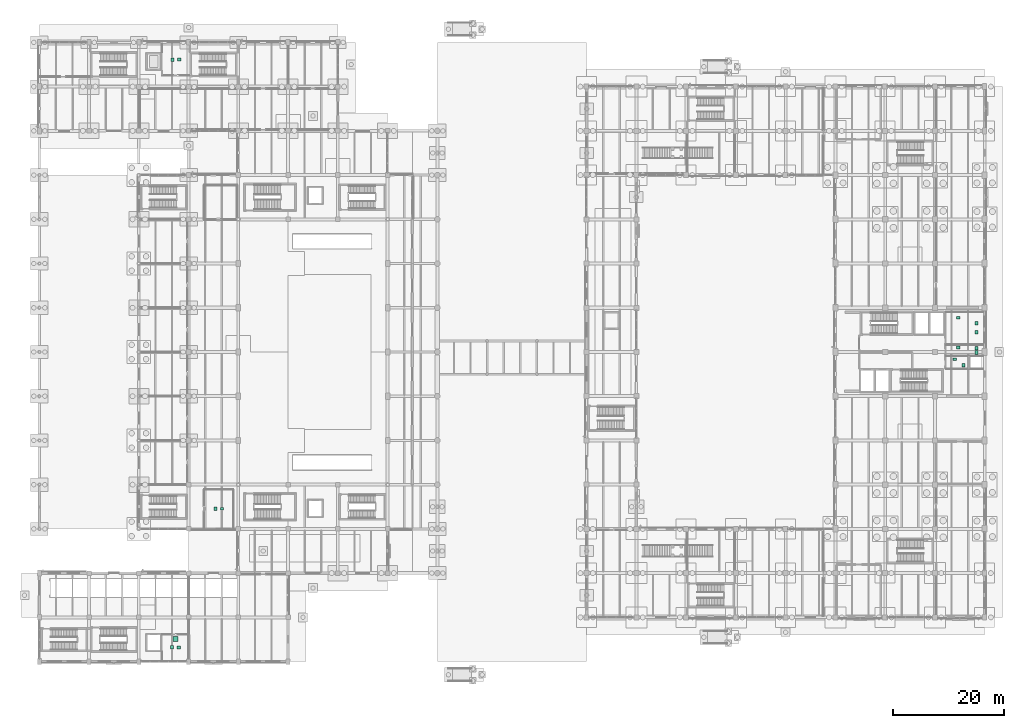
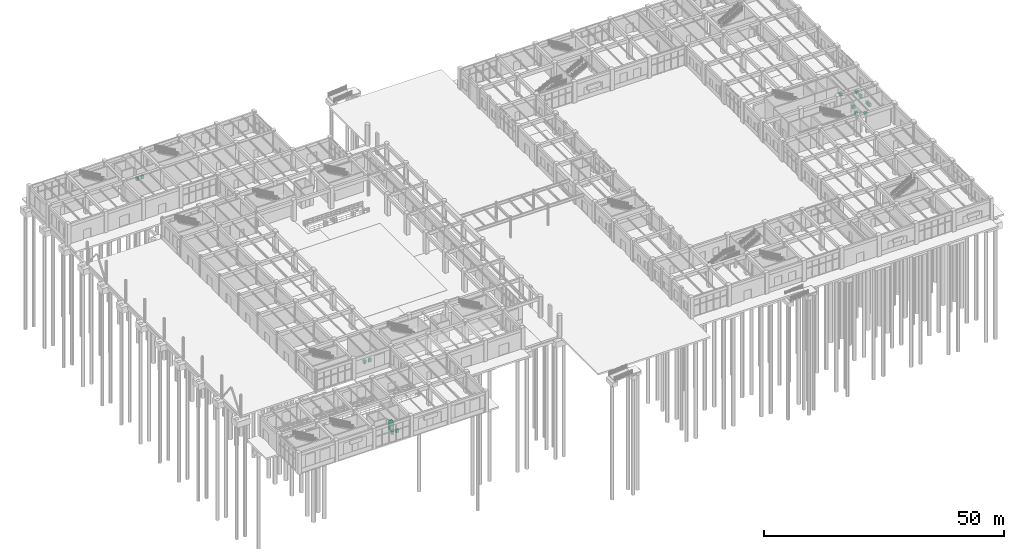
# One storey, part 120 of 121: 15 sanitary terminals.
"""IFC4 building model written with IfcOpenShell, lengths in metres."""

from ifc_helpers import new_model, si_unit, derived_unit, direction, frame, origin, origin_2d, place, context, subcontext, project, spatial, rectangle, extrude, material, type_object, element, save


model = new_model("IFC4")

# Units and contexts
model_context = context("Model", 3, precision=1e-05, world=origin(), true_north=direction((0.0, 1.0)))
body_context = subcontext(model_context, "Body", "Model", "MODEL_VIEW")
ifc_project = project(units=[si_unit("LENGTHUNIT", "METRE"), si_unit("AREAUNIT", "SQUARE_METRE"), si_unit("VOLUMEUNIT", "CUBIC_METRE"), si_unit("PLANEANGLEUNIT", "RADIAN"), si_unit("MASSUNIT", "GRAM", prefix="KILO"), derived_unit("THERMALTRANSMITTANCEUNIT", [(si_unit("MASSUNIT", "GRAM", prefix="KILO"), 1), (si_unit("TIMEUNIT", "SECOND"), -3), (si_unit("THERMODYNAMICTEMPERATUREUNIT", "KELVIN"), -1)])], contexts=[model_context])

# Site, building, storey
site_placement = place(None, origin())
site = spatial("IfcSite", under=ifc_project, at=site_placement, CompositionType="ELEMENT")
building_placement = place(site_placement, origin())
building = spatial("IfcBuilding", under=site, at=building_placement, Name="Zhenchuan Archway Interchange", CompositionType="ELEMENT")
storey_placement = place(building_placement, origin())
storey = spatial("IfcBuildingStorey", under=building, at=storey_placement, Name="L00", CompositionType="ELEMENT", Elevation=0.0)

# Sanitary terminals
ifc_material = material(Name="Vitreous China", Category="ceramic")
sanitary_terminal_type_1 = type_object("IfcSanitaryTerminalType", Name="SAN_SHOWER", PredefinedType="SHOWER", material=ifc_material)
sanitary_terminal_placement = place(storey_placement, frame((24.60009765625, 4.110107421875, 0.0), z_axis=(0.0, 0.0, 1.0), x_axis=(1.0, 0.0, 0.0)))
element("IfcSanitaryTerminal", 1, at=sanitary_terminal_placement, inside=storey, type_object=sanitary_terminal_type_1, Name="Riders Shower and Changing Room shower", PredefinedType="SHOWER", context=body_context, shape_type="SweptSolid", body=[
    extrude(rectangle(XDim=0.89990234375, YDim=0.89990234375, at=origin_2d()), origin(), (0.0, 0.0, 1.0), 2.050048828125),
])
sanitary_terminal_type_2 = type_object("IfcSanitaryTerminalType", Name="SAN_WASHHANDBASIN", PredefinedType="WASHHANDBASIN", material=ifc_material)
for number, where, z_axis, x_axis, name in (
    (2, (165.60009765625, 54.699951171875, 0.0), (0.0, 0.0, 1.0), (1.0, 0.0, 0.0), "Sanitary fixture 02 (L00)"),
    (3, (166.199951171875, 56.800048828125, 0.0), (0.0, 0.0, 1.0), (1.0, 0.0, 0.0), "Sanitary fixture 05 (L00)"),
    (4, (166.199951171875, 62.199951171875, 0.0), (0.0, 0.0, 1.0), (1.0, 0.0, 0.0), "Sanitary fixture 08 (L00)"),
    (5, (33.050048828125, 27.64990234375, 0.0), (0.0, 0.0, 1.0), (1.0, 0.0, 0.0), "Concourse Public Restroom L00 basin"),
    (6, (25.199951171875, 2.554931640625, 0.0), (0.0, 0.0, 1.0), (1.0, 0.0, 0.0), "Riders Shower and Changing Room basin"),
    (7, (25.300048828125, 108.89990234375, 0.0), (0.0, 0.0, 1.0), (1.0, 0.0, 0.0), "Terminal Public Washroom basin"),
):
    element("IfcSanitaryTerminal", number, at=place(storey_placement, frame(where, z_axis=z_axis, x_axis=x_axis)), inside=storey, type_object=sanitary_terminal_type_2, Name=name, PredefinedType="WASHHANDBASIN", context=body_context, shape_type="SweptSolid", body=[
        extrude(rectangle(XDim=0.60009765625, YDim=0.5, at=origin_2d()), origin(), (0.0, 0.0, 1.0), 0.820068359375),
    ])
sanitary_terminal_type_3 = type_object("IfcSanitaryTerminalType", Name="SAN_WCSEAT", PredefinedType="WCSEAT", material=ifc_material)
for number, where, z_axis, x_axis, name in (
    (8, (167.199951171875, 53.60009765625, 0.0), (0.0, 0.0, 1.0), (1.0, 0.0, 0.0), "Sanitary fixture 01 (L00)"),
    (9, (169.5, 55.89990234375, 0.0), (0.0, 0.0, 1.0), (1.0, 0.0, 0.0), "Sanitary fixture 03 (L00)"),
    (10, (169.5, 56.699951171875, 0.0), (0.0, 0.0, 1.0), (1.0, 0.0, 0.0), "Sanitary fixture 04 (L00)"),
    (11, (169.5, 59.60009765625, 0.0), (0.0, 0.0, 1.0), (1.0, 0.0, 0.0), "Sanitary fixture 06 (L00)"),
    (12, (169.5, 61.199951171875, 0.0), (0.0, 0.0, 1.0), (1.0, 0.0, 0.0), "Sanitary fixture 07 (L00)"),
    (13, (31.85009765625, 27.64990234375, 0.0), (0.0, 0.0, 1.0), (1.0, 0.0, 0.0), "Concourse Public Restroom L00 WC"),
    (14, (24.0, 2.554931640625, 0.0), (0.0, 0.0, 1.0), (1.0, 0.0, 0.0), "Riders Shower and Changing Room WC"),
    (15, (24.10009765625, 108.89990234375, 0.0), (0.0, 0.0, 1.0), (1.0, 0.0, 0.0), "Terminal Public Washroom WC"),
):
    element("IfcSanitaryTerminal", number, at=place(storey_placement, frame(where, z_axis=z_axis, x_axis=x_axis)), inside=storey, type_object=sanitary_terminal_type_3, Name=name, PredefinedType="WCSEAT", context=body_context, shape_type="SweptSolid", body=[
        extrude(rectangle(XDim=0.550048828125, YDim=0.64990234375, at=origin_2d()), origin(), (0.0, 0.0, 1.0), 0.800048828125),
    ])

save(model, "model.ifc")
